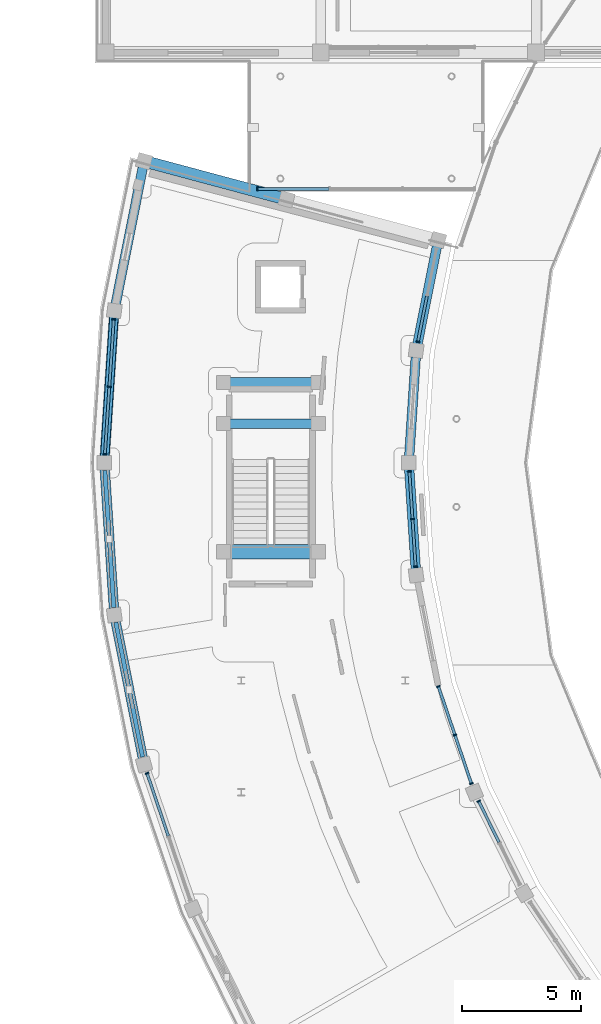
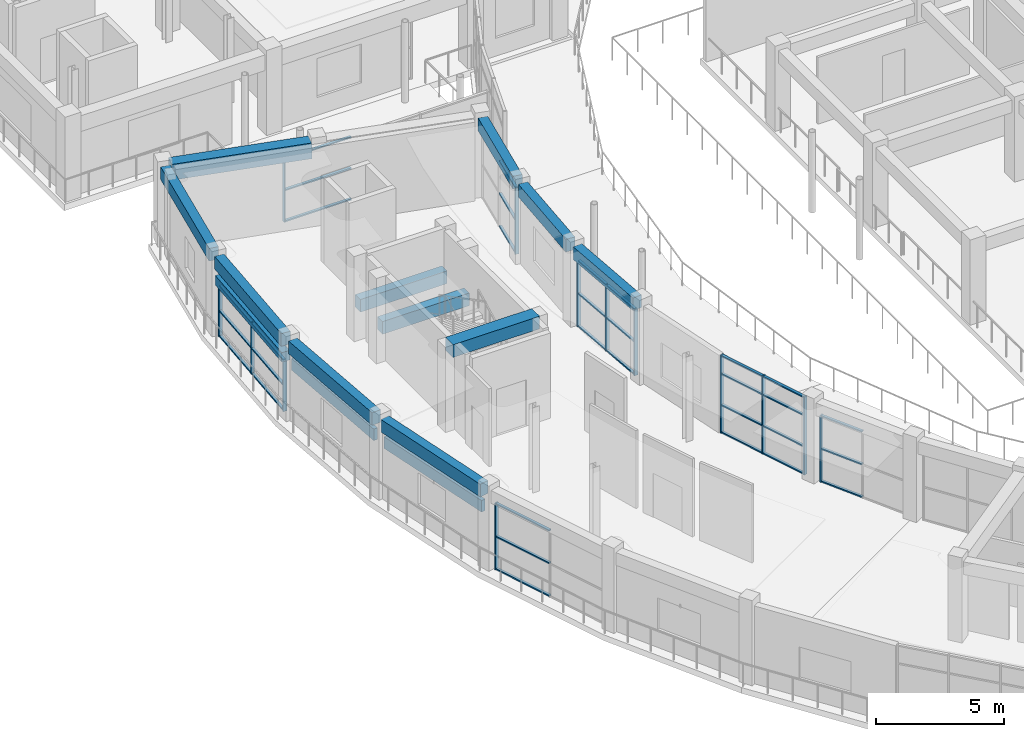
# One storey, part 23 of 83: 47 members, 12 beams, 7 elements without a shape of their own.
"""IFC4 building model written with IfcOpenShell, lengths in metres."""

from ifc_helpers import new_model, si_unit, direction, frame, origin, origin_2d, place, context, subcontext, project, spatial, rectangle, extrude, material, material_profile, profile_set, type_object, element, aggregate, save


model = new_model("IFC4")

# Units and contexts
model_context = context("Model", 3, precision=1e-05, world=origin(), true_north=direction((0.0, 1.0)))
body_context = subcontext(model_context, "Body", "Model", "MODEL_VIEW")
ifc_project = project(units=[si_unit("LENGTHUNIT", "METRE"), si_unit("AREAUNIT", "SQUARE_METRE"), si_unit("VOLUMEUNIT", "CUBIC_METRE"), si_unit("PLANEANGLEUNIT", "RADIAN"), si_unit("MASSUNIT", "GRAM", prefix="KILO")], contexts=[model_context])

# Site, building, storey
site_placement = place(None, origin())
site = spatial("IfcSite", under=ifc_project, at=site_placement, CompositionType="ELEMENT")
building_placement = place(site_placement, origin())
building = spatial("IfcBuilding", under=site, at=building_placement, Name="Saryqyr Civic Hall", CompositionType="ELEMENT")
storey_placement = place(building_placement, frame((0.0, 0.0, 9.14990234375)))
storey = spatial("IfcBuildingStorey", under=building, at=storey_placement, Name="L02", CompositionType="ELEMENT", Elevation=9.14990234375)

# Curtain wall, member
ifc_material_1 = material(Name="Anodised aluminium and triple low-E glass", Category="aluminium")
curtain_wall_type_1 = type_object("IfcCurtainWallType", Name="ENV-CW-STD-21", PredefinedType="NOTDEFINED", material=ifc_material_1)
curtain_wall_1_placement = place(storey_placement, origin())
curtain_wall_1 = element("IfcCurtainWall", 1, at=curtain_wall_1_placement, inside=storey, type_object=curtain_wall_type_1, Name="Curtain wall V4-CWI-L02-00", PredefinedType="NOTDEFINED")
ifc_material_2 = material(Name="Anodised aluminium", Category="aluminium")
ifc_material_profile_1 = material_profile(ifc_material_2, rectangle(XDim=0.06005859375, YDim=0.159912109375, at=origin_2d()), Name="ALU MULLION 60x160")
ifc_profile_set_1 = profile_set([ifc_material_profile_1], Name="Anodised aluminium")
member_type_1 = type_object("IfcMemberType", Name="ENV-CW-MUL-180", PredefinedType="MULLION", material=ifc_profile_set_1)
member_1_placement = place(storey_placement, frame((21.18310546875, 89.094482421875, 0.0), z_axis=(0.0, 0.0, 1.0), x_axis=(-0.195107360697, -0.980781891045, 0.0)))
member_1 = element("IfcMember", 2, at=member_1_placement, type_object=member_type_1, Name="CW-21 mullion 3", PredefinedType="MULLION", context=body_context, shape_type="SweptSolid", body=[
    extrude(rectangle(XDim=0.06005859375, YDim=0.159912109375, at=origin_2d()), origin(), (0.0, 0.0, 1.0), 3.1650390625),
])

# Curtain wall, members
curtain_wall_type_2 = type_object("IfcCurtainWallType", Name="ENV-CW-STD-22", PredefinedType="NOTDEFINED", material=ifc_material_1)
curtain_wall_2_placement = place(storey_placement, origin())
curtain_wall_2 = element("IfcCurtainWall", 3, at=curtain_wall_2_placement, inside=storey, type_object=curtain_wall_type_2, Name="Curtain wall V4-CWO-L02-01", PredefinedType="NOTDEFINED")
member_2_placement = place(storey_placement, frame((8.024169921875, 84.369873046875, 0.0), z_axis=(0.0, 0.0, 1.0), x_axis=(0.06539733631, 0.99785930291, 0.0)))
member_2 = element("IfcMember", 4, at=member_2_placement, type_object=member_type_1, Name="CW-22 mullion 1", PredefinedType="MULLION", context=body_context, shape_type="SweptSolid", body=[
    extrude(rectangle(XDim=0.06005859375, YDim=0.159912109375, at=origin_2d()), origin(), (0.0, 0.0, 1.0), 2.4501953125),
])
member_3_placement = place(storey_placement, frame((8.209716796875, 87.197998046875, 0.0), z_axis=(0.0, 0.0, 1.0), x_axis=(0.06539733631, 0.99785930291, 0.0)))
member_3 = element("IfcMember", 5, at=member_3_placement, type_object=member_type_1, Name="CW-22 mullion 2", PredefinedType="MULLION", context=body_context, shape_type="SweptSolid", body=[
    extrude(rectangle(XDim=0.06005859375, YDim=0.159912109375, at=origin_2d()), origin(), (0.0, 0.0, 1.0), 2.4501953125),
])
member_4_placement = place(storey_placement, frame((8.39501953125, 90.02587890625, 0.0), z_axis=(0.0, 0.0, 1.0), x_axis=(0.06539733631, 0.99785930291, 0.0)))
member_4 = element("IfcMember", 6, at=member_4_placement, type_object=member_type_1, Name="CW-22 mullion 3", PredefinedType="MULLION", context=body_context, shape_type="SweptSolid", body=[
    extrude(rectangle(XDim=0.06005859375, YDim=0.159912109375, at=origin_2d()), origin(), (0.0, 0.0, 1.0), 2.4501953125),
])

curtain_wall_3_placement = place(storey_placement, origin())
curtain_wall_3 = element("IfcCurtainWall", 7, at=curtain_wall_3_placement, inside=storey, type_object=curtain_wall_type_1, Name="Curtain wall V4-CWI-L02-02", PredefinedType="NOTDEFINED")
member_5_placement = place(storey_placement, frame((20.82421875, 83.630126953125, 0.0), z_axis=(0.0, 0.0, 1.0), x_axis=(0.065397404214, -0.997859298459, 0.0)))
member_5 = element("IfcMember", 8, at=member_5_placement, type_object=member_type_1, Name="CW-21 mullion 1", PredefinedType="MULLION", context=body_context, shape_type="SweptSolid", body=[
    extrude(rectangle(XDim=0.06005859375, YDim=0.159912109375, at=origin_2d()), origin(), (0.0, 0.0, 1.0), 3.1650390625),
])
member_6_placement = place(storey_placement, frame((20.954833984375, 81.637451171875, 0.0), z_axis=(0.0, 0.0, 1.0), x_axis=(0.065397404214, -0.997859298459, 0.0)))
member_6 = element("IfcMember", 9, at=member_6_placement, type_object=member_type_1, Name="CW-21 mullion 2", PredefinedType="MULLION", context=body_context, shape_type="SweptSolid", body=[
    extrude(rectangle(XDim=0.06005859375, YDim=0.159912109375, at=origin_2d()), origin(), (0.0, 0.0, 1.0), 3.1650390625),
])
member_7_placement = place(storey_placement, frame((21.08544921875, 79.64501953125, 0.0), z_axis=(0.0, 0.0, 1.0), x_axis=(0.065397404214, -0.997859298459, 0.0)))
member_7 = element("IfcMember", 10, at=member_7_placement, type_object=member_type_1, Name="CW-21 mullion 3", PredefinedType="MULLION", context=body_context, shape_type="SweptSolid", body=[
    extrude(rectangle(XDim=0.06005859375, YDim=0.159912109375, at=origin_2d()), origin(), (0.0, 0.0, 1.0), 3.1650390625),
])

# Curtain wall, member
curtain_wall_type_3 = type_object("IfcCurtainWallType", Name="ENV-CW-STD-23", PredefinedType="NOTDEFINED", material=ifc_material_1)
curtain_wall_4_placement = place(storey_placement, origin())
curtain_wall_4 = element("IfcCurtainWall", 11, at=curtain_wall_4_placement, inside=storey, type_object=curtain_wall_type_3, Name="Curtain wall V4-CWO-L02-04", PredefinedType="NOTDEFINED")
member_8_placement = place(storey_placement, frame((9.794677734375, 70.949462890625, 0.0), z_axis=(0.0, 0.0, 1.0), x_axis=(-0.321446589179, 0.946927711235, 0.0)))
member_8 = element("IfcMember", 12, at=member_8_placement, type_object=member_type_1, Name="CW-23 mullion 3", PredefinedType="MULLION", context=body_context, shape_type="SweptSolid", body=[
    extrude(rectangle(XDim=0.06005859375, YDim=0.159912109375, at=origin_2d()), origin(), (0.0, 0.0, 1.0), 3.1650390625),
])

# Curtain wall, members
curtain_wall_type_4 = type_object("IfcCurtainWallType", Name="ENV-CW-STD-24", PredefinedType="NOTDEFINED", material=ifc_material_1)
curtain_wall_5_placement = place(storey_placement, origin())
curtain_wall_5 = element("IfcCurtainWall", 13, at=curtain_wall_5_placement, inside=storey, type_object=curtain_wall_type_4, Name="Curtain wall V4-CWI-L02-04", PredefinedType="NOTDEFINED")
member_9_placement = place(storey_placement, frame((22.043212890625, 74.602294921875, 0.0), z_axis=(0.0, 0.0, 1.0), x_axis=(0.321446738583, -0.946927660518, 0.0)))
member_9 = element("IfcMember", 14, at=member_9_placement, type_object=member_type_1, Name="CW-24 mullion 1", PredefinedType="MULLION", context=body_context, shape_type="SweptSolid", body=[
    extrude(rectangle(XDim=0.06005859375, YDim=0.159912109375, at=origin_2d()), origin(), (0.0, 0.0, 1.0), 3.7001953125),
])
member_10_placement = place(storey_placement, frame((22.73681640625, 72.558837890625, 0.0), z_axis=(0.0, 0.0, 1.0), x_axis=(0.321446738583, -0.946927660518, 0.0)))
member_10 = element("IfcMember", 15, at=member_10_placement, type_object=member_type_1, Name="CW-24 mullion 2", PredefinedType="MULLION", context=body_context, shape_type="SweptSolid", body=[
    extrude(rectangle(XDim=0.06005859375, YDim=0.159912109375, at=origin_2d()), origin(), (0.0, 0.0, 1.0), 3.7001953125),
])
member_11_placement = place(storey_placement, frame((23.4306640625, 70.515380859375, 0.0), z_axis=(0.0, 0.0, 1.0), x_axis=(0.321446738583, -0.946927660518, 0.0)))
member_11 = element("IfcMember", 16, at=member_11_placement, type_object=member_type_1, Name="CW-24 mullion 3", PredefinedType="MULLION", context=body_context, shape_type="SweptSolid", body=[
    extrude(rectangle(XDim=0.06005859375, YDim=0.159912109375, at=origin_2d()), origin(), (0.0, 0.0, 1.0), 3.7001953125),
])

# Curtain wall, member
curtain_wall_6_placement = place(storey_placement, origin())
curtain_wall_6 = element("IfcCurtainWall", 17, at=curtain_wall_6_placement, inside=storey, type_object=curtain_wall_type_1, Name="Curtain wall V4-CWI-L02-05", PredefinedType="NOTDEFINED")
member_12_placement = place(storey_placement, frame((23.736572265625, 69.780029296875, 0.0), z_axis=(0.0, 0.0, 1.0), x_axis=(0.44226837931, -0.896882757479, 0.0)))
member_12 = element("IfcMember", 18, at=member_12_placement, type_object=member_type_1, Name="CW-21 mullion 1", PredefinedType="MULLION", context=body_context, shape_type="SweptSolid", body=[
    extrude(rectangle(XDim=0.06005859375, YDim=0.159912109375, at=origin_2d()), origin(), (0.0, 0.0, 1.0), 3.1650390625),
])

curtain_wall_type_5 = type_object("IfcCurtainWallType", Name="ENV-CW-STD-84", PredefinedType="NOTDEFINED", material=ifc_material_1)
curtain_wall_7_placement = place(storey_placement, origin())
curtain_wall_7 = element("IfcCurtainWall", 19, at=curtain_wall_7_placement, inside=storey, type_object=curtain_wall_type_5, Name="Curtain wall BR-NW-CW1-L02", PredefinedType="NOTDEFINED")
member_13_placement = place(storey_placement, frame((14.429931640625, 95.52001953125, 0.0), z_axis=(0.0, 0.0, 1.0), x_axis=(-1.0, 0.0, 0.0)))
member_13 = element("IfcMember", 20, at=member_13_placement, type_object=member_type_1, Name="CW-84 mullion 4", PredefinedType="MULLION", context=body_context, shape_type="SweptSolid", body=[
    extrude(rectangle(XDim=0.06005859375, YDim=0.159912109375, at=origin_2d()), origin(), (0.0, 0.0, 1.0), 3.01513671875),
])

# Member
ifc_material_profile_2 = material_profile(ifc_material_2, rectangle(XDim=0.1201171875, YDim=0.06005859375, at=origin_2d()), Name="ALU TRANSOM 120x60")
ifc_profile_set_2 = profile_set([ifc_material_profile_2], Name="Anodised aluminium")
member_type_2 = type_object("IfcMemberType", Name="ENV-CW-TRN-150", PredefinedType="USERDEFINED", material=ifc_profile_set_2)
member_14_placement = place(storey_placement, frame((21.565673828125, 91.017578125, 0.030029296875), z_axis=(-0.195094793757, -0.980784390908, 0.0), x_axis=(0.980784390908, -0.195094793757, 0.0)))
member_14 = element("IfcMember", 21, at=member_14_placement, type_object=member_type_2, Name="CW-21 transom 2.1", ObjectType="TRANSOM", PredefinedType="USERDEFINED", context=body_context, shape_type="SweptSolid", body=[
    extrude(rectangle(XDim=0.1201171875, YDim=0.06005859375, at=origin_2d()), origin(), (0.0, 0.0, 1.0), 1.930908203125),
])

member_15_placement = place(storey_placement, frame((21.565673828125, 91.017578125, 1.58203125), z_axis=(-0.195094793757, -0.980784390908, 0.0), x_axis=(0.980784390908, -0.195094793757, 0.0)))
member_15 = element("IfcMember", 22, at=member_15_placement, type_object=member_type_2, Name="CW-21 transom 2.2", ObjectType="TRANSOM", PredefinedType="USERDEFINED", context=body_context, shape_type="SweptSolid", body=[
    extrude(rectangle(XDim=0.1201171875, YDim=0.06005859375, at=origin_2d()), origin(), (0.0, 0.0, 1.0), 1.930908203125),
])

member_16_placement = place(storey_placement, frame((21.565673828125, 91.017578125, 3.135009765625), z_axis=(-0.195094793757, -0.980784390908, 0.0), x_axis=(0.980784390908, -0.195094793757, 0.0)))
member_16 = element("IfcMember", 23, at=member_16_placement, type_object=member_type_2, Name="CW-21 transom 2.3", ObjectType="TRANSOM", PredefinedType="USERDEFINED", context=body_context, shape_type="SweptSolid", body=[
    extrude(rectangle(XDim=0.1201171875, YDim=0.06005859375, at=origin_2d()), origin(), (0.0, 0.0, 1.0), 1.930908203125),
])

aggregate(curtain_wall_1, [member_1, member_14, member_15, member_16])

member_17_placement = place(storey_placement, frame((8.026123046875, 84.39990234375, 0.030029296875), z_axis=(0.06539158073, 0.9978596801, 0.0), x_axis=(-0.9978596801, 0.06539158073, 0.0)))
member_17 = element("IfcMember", 24, at=member_17_placement, type_object=member_type_2, Name="CW-22 transom 1.1", ObjectType="TRANSOM", PredefinedType="USERDEFINED", context=body_context, shape_type="SweptSolid", body=[
    extrude(rectangle(XDim=0.1201171875, YDim=0.06005859375, at=origin_2d()), origin(), (0.0, 0.0, 1.0), 2.77392578125),
])

member_18_placement = place(storey_placement, frame((8.026123046875, 84.39990234375, 1.22509765625), z_axis=(0.06539158073, 0.9978596801, 0.0), x_axis=(-0.9978596801, 0.06539158073, 0.0)))
member_18 = element("IfcMember", 25, at=member_18_placement, type_object=member_type_2, Name="CW-22 transom 1.2", ObjectType="TRANSOM", PredefinedType="USERDEFINED", context=body_context, shape_type="SweptSolid", body=[
    extrude(rectangle(XDim=0.1201171875, YDim=0.06005859375, at=origin_2d()), origin(), (0.0, 0.0, 1.0), 2.77392578125),
])

member_19_placement = place(storey_placement, frame((8.026123046875, 84.39990234375, 2.420166015625), z_axis=(0.06539158073, 0.9978596801, 0.0), x_axis=(-0.9978596801, 0.06539158073, 0.0)))
member_19 = element("IfcMember", 26, at=member_19_placement, type_object=member_type_2, Name="CW-22 transom 1.3", ObjectType="TRANSOM", PredefinedType="USERDEFINED", context=body_context, shape_type="SweptSolid", body=[
    extrude(rectangle(XDim=0.1201171875, YDim=0.06005859375, at=origin_2d()), origin(), (0.0, 0.0, 1.0), 2.77392578125),
])

member_20_placement = place(storey_placement, frame((8.211669921875, 87.227783203125, 0.030029296875), z_axis=(0.06539158073, 0.9978596801, 0.0), x_axis=(-0.9978596801, 0.06539158073, 0.0)))
member_20 = element("IfcMember", 27, at=member_20_placement, type_object=member_type_2, Name="CW-22 transom 2.1", ObjectType="TRANSOM", PredefinedType="USERDEFINED", context=body_context, shape_type="SweptSolid", body=[
    extrude(rectangle(XDim=0.1201171875, YDim=0.06005859375, at=origin_2d()), origin(), (0.0, 0.0, 1.0), 2.77392578125),
])

member_21_placement = place(storey_placement, frame((8.211669921875, 87.227783203125, 1.22509765625), z_axis=(0.06539158073, 0.9978596801, 0.0), x_axis=(-0.9978596801, 0.06539158073, 0.0)))
member_21 = element("IfcMember", 28, at=member_21_placement, type_object=member_type_2, Name="CW-22 transom 2.2", ObjectType="TRANSOM", PredefinedType="USERDEFINED", context=body_context, shape_type="SweptSolid", body=[
    extrude(rectangle(XDim=0.1201171875, YDim=0.06005859375, at=origin_2d()), origin(), (0.0, 0.0, 1.0), 2.77392578125),
])

member_22_placement = place(storey_placement, frame((8.211669921875, 87.227783203125, 2.420166015625), z_axis=(0.06539158073, 0.9978596801, 0.0), x_axis=(-0.9978596801, 0.06539158073, 0.0)))
member_22 = element("IfcMember", 29, at=member_22_placement, type_object=member_type_2, Name="CW-22 transom 2.3", ObjectType="TRANSOM", PredefinedType="USERDEFINED", context=body_context, shape_type="SweptSolid", body=[
    extrude(rectangle(XDim=0.1201171875, YDim=0.06005859375, at=origin_2d()), origin(), (0.0, 0.0, 1.0), 2.77392578125),
])

aggregate(curtain_wall_2, [member_2, member_3, member_4, member_17, member_18, member_19, member_20, member_21, member_22])

member_23_placement = place(storey_placement, frame((20.826171875, 83.60009765625, 0.030029296875), z_axis=(0.065422954354, -0.997857623634, 0.0), x_axis=(0.997857623634, 0.065422954354, 0.0)))
member_23 = element("IfcMember", 30, at=member_23_placement, type_object=member_type_2, Name="CW-21 transom 1.1", ObjectType="TRANSOM", PredefinedType="USERDEFINED", context=body_context, shape_type="SweptSolid", body=[
    extrude(rectangle(XDim=0.1201171875, YDim=0.06005859375, at=origin_2d()), origin(), (0.0, 0.0, 1.0), 1.936767578125),
])

member_24_placement = place(storey_placement, frame((20.826171875, 83.60009765625, 1.58203125), z_axis=(0.065422954354, -0.997857623634, 0.0), x_axis=(0.997857623634, 0.065422954354, 0.0)))
member_24 = element("IfcMember", 31, at=member_24_placement, type_object=member_type_2, Name="CW-21 transom 1.2", ObjectType="TRANSOM", PredefinedType="USERDEFINED", context=body_context, shape_type="SweptSolid", body=[
    extrude(rectangle(XDim=0.1201171875, YDim=0.06005859375, at=origin_2d()), origin(), (0.0, 0.0, 1.0), 1.936767578125),
])

member_25_placement = place(storey_placement, frame((20.826171875, 83.60009765625, 3.135009765625), z_axis=(0.065422954354, -0.997857623634, 0.0), x_axis=(0.997857623634, 0.065422954354, 0.0)))
member_25 = element("IfcMember", 32, at=member_25_placement, type_object=member_type_2, Name="CW-21 transom 1.3", ObjectType="TRANSOM", PredefinedType="USERDEFINED", context=body_context, shape_type="SweptSolid", body=[
    extrude(rectangle(XDim=0.1201171875, YDim=0.06005859375, at=origin_2d()), origin(), (0.0, 0.0, 1.0), 1.936767578125),
])

member_26_placement = place(storey_placement, frame((20.956787109375, 81.607666015625, 0.030029296875), z_axis=(0.065414726113, -0.997858163071, 0.0), x_axis=(0.997858163071, 0.065414726113, 0.0)))
member_26 = element("IfcMember", 33, at=member_26_placement, type_object=member_type_2, Name="CW-21 transom 2.1", ObjectType="TRANSOM", PredefinedType="USERDEFINED", context=body_context, shape_type="SweptSolid", body=[
    extrude(rectangle(XDim=0.1201171875, YDim=0.06005859375, at=origin_2d()), origin(), (0.0, 0.0, 1.0), 1.93701171875),
])

member_27_placement = place(storey_placement, frame((20.956787109375, 81.607666015625, 1.58203125), z_axis=(0.065414726113, -0.997858163071, 0.0), x_axis=(0.997858163071, 0.065414726113, 0.0)))
member_27 = element("IfcMember", 34, at=member_27_placement, type_object=member_type_2, Name="CW-21 transom 2.2", ObjectType="TRANSOM", PredefinedType="USERDEFINED", context=body_context, shape_type="SweptSolid", body=[
    extrude(rectangle(XDim=0.1201171875, YDim=0.06005859375, at=origin_2d()), origin(), (0.0, 0.0, 1.0), 1.93701171875),
])

member_28_placement = place(storey_placement, frame((20.956787109375, 81.607666015625, 3.135009765625), z_axis=(0.065414726113, -0.997858163071, 0.0), x_axis=(0.997858163071, 0.065414726113, 0.0)))
member_28 = element("IfcMember", 35, at=member_28_placement, type_object=member_type_2, Name="CW-21 transom 2.3", ObjectType="TRANSOM", PredefinedType="USERDEFINED", context=body_context, shape_type="SweptSolid", body=[
    extrude(rectangle(XDim=0.1201171875, YDim=0.06005859375, at=origin_2d()), origin(), (0.0, 0.0, 1.0), 1.93701171875),
])

aggregate(curtain_wall_3, [member_5, member_6, member_7, member_23, member_24, member_25, member_26, member_27, member_28])

member_29_placement = place(storey_placement, frame((10.690185546875, 68.3115234375, 0.030029296875), z_axis=(-0.321485014868, 0.946914666279, 0.0), x_axis=(-0.946914666279, -0.321485014868, 0.0)))
member_29 = element("IfcMember", 36, at=member_29_placement, type_object=member_type_2, Name="CW-23 transom 2.1", ObjectType="TRANSOM", PredefinedType="USERDEFINED", context=body_context, shape_type="SweptSolid", body=[
    extrude(rectangle(XDim=0.1201171875, YDim=0.06005859375, at=origin_2d()), origin(), (0.0, 0.0, 1.0), 2.755859375),
])

member_30_placement = place(storey_placement, frame((10.690185546875, 68.3115234375, 1.58203125), z_axis=(-0.321485014868, 0.946914666279, 0.0), x_axis=(-0.946914666279, -0.321485014868, 0.0)))
member_30 = element("IfcMember", 37, at=member_30_placement, type_object=member_type_2, Name="CW-23 transom 2.2", ObjectType="TRANSOM", PredefinedType="USERDEFINED", context=body_context, shape_type="SweptSolid", body=[
    extrude(rectangle(XDim=0.1201171875, YDim=0.06005859375, at=origin_2d()), origin(), (0.0, 0.0, 1.0), 2.755859375),
])

member_31_placement = place(storey_placement, frame((10.690185546875, 68.3115234375, 3.135009765625), z_axis=(-0.321485014868, 0.946914666279, 0.0), x_axis=(-0.946914666279, -0.321485014868, 0.0)))
member_31 = element("IfcMember", 38, at=member_31_placement, type_object=member_type_2, Name="CW-23 transom 2.3", ObjectType="TRANSOM", PredefinedType="USERDEFINED", context=body_context, shape_type="SweptSolid", body=[
    extrude(rectangle(XDim=0.1201171875, YDim=0.06005859375, at=origin_2d()), origin(), (0.0, 0.0, 1.0), 2.755859375),
])

aggregate(curtain_wall_4, [member_8, member_29, member_30, member_31])

member_32_placement = place(storey_placement, frame((22.052734375, 74.573974609375, 0.030029296875), z_axis=(0.321493848195, -0.946911667249, 0.0), x_axis=(0.946911667249, 0.321493848195, 0.0)))
member_32 = element("IfcMember", 39, at=member_32_placement, type_object=member_type_2, Name="CW-24 transom 1.1", ObjectType="TRANSOM", PredefinedType="USERDEFINED", context=body_context, shape_type="SweptSolid", body=[
    extrude(rectangle(XDim=0.1201171875, YDim=0.06005859375, at=origin_2d()), origin(), (0.0, 0.0, 1.0), 2.09814453125),
])

member_33_placement = place(storey_placement, frame((22.052734375, 74.573974609375, 1.33203125), z_axis=(0.321493848195, -0.946911667249, 0.0), x_axis=(0.946911667249, 0.321493848195, 0.0)))
member_33 = element("IfcMember", 40, at=member_33_placement, type_object=member_type_2, Name="CW-24 transom 1.2", ObjectType="TRANSOM", PredefinedType="USERDEFINED", context=body_context, shape_type="SweptSolid", body=[
    extrude(rectangle(XDim=0.1201171875, YDim=0.06005859375, at=origin_2d()), origin(), (0.0, 0.0, 1.0), 2.09814453125),
])

member_34_placement = place(storey_placement, frame((22.052734375, 74.573974609375, 2.81201171875), z_axis=(0.321493848195, -0.946911667249, 0.0), x_axis=(0.946911667249, 0.321493848195, 0.0)))
member_34 = element("IfcMember", 41, at=member_34_placement, type_object=member_type_2, Name="CW-24 transom 1.3", ObjectType="TRANSOM", PredefinedType="USERDEFINED", context=body_context, shape_type="SweptSolid", body=[
    extrude(rectangle(XDim=0.1201171875, YDim=0.06005859375, at=origin_2d()), origin(), (0.0, 0.0, 1.0), 2.09814453125),
])

member_35_placement = place(storey_placement, frame((22.052734375, 74.573974609375, 3.670166015625), z_axis=(0.321493848195, -0.946911667249, 0.0), x_axis=(0.946911667249, 0.321493848195, 0.0)))
member_35 = element("IfcMember", 42, at=member_35_placement, type_object=member_type_2, Name="CW-24 transom 1.4", ObjectType="TRANSOM", PredefinedType="USERDEFINED", context=body_context, shape_type="SweptSolid", body=[
    extrude(rectangle(XDim=0.1201171875, YDim=0.06005859375, at=origin_2d()), origin(), (0.0, 0.0, 1.0), 2.09814453125),
])

member_36_placement = place(storey_placement, frame((22.74658203125, 72.530517578125, 0.030029296875), z_axis=(0.321389511978, -0.946947084895, 0.0), x_axis=(0.946947084895, 0.321389511978, 0.0)))
member_36 = element("IfcMember", 43, at=member_36_placement, type_object=member_type_2, Name="CW-24 transom 2.1", ObjectType="TRANSOM", PredefinedType="USERDEFINED", context=body_context, shape_type="SweptSolid", body=[
    extrude(rectangle(XDim=0.1201171875, YDim=0.06005859375, at=origin_2d()), origin(), (0.0, 0.0, 1.0), 2.09814453125),
])

member_37_placement = place(storey_placement, frame((22.74658203125, 72.530517578125, 1.33203125), z_axis=(0.321389511978, -0.946947084895, 0.0), x_axis=(0.946947084895, 0.321389511978, 0.0)))
member_37 = element("IfcMember", 44, at=member_37_placement, type_object=member_type_2, Name="CW-24 transom 2.2", ObjectType="TRANSOM", PredefinedType="USERDEFINED", context=body_context, shape_type="SweptSolid", body=[
    extrude(rectangle(XDim=0.1201171875, YDim=0.06005859375, at=origin_2d()), origin(), (0.0, 0.0, 1.0), 2.09814453125),
])

member_38_placement = place(storey_placement, frame((22.74658203125, 72.530517578125, 2.81201171875), z_axis=(0.321389511978, -0.946947084895, 0.0), x_axis=(0.946947084895, 0.321389511978, 0.0)))
member_38 = element("IfcMember", 45, at=member_38_placement, type_object=member_type_2, Name="CW-24 transom 2.3", ObjectType="TRANSOM", PredefinedType="USERDEFINED", context=body_context, shape_type="SweptSolid", body=[
    extrude(rectangle(XDim=0.1201171875, YDim=0.06005859375, at=origin_2d()), origin(), (0.0, 0.0, 1.0), 2.09814453125),
])

member_39_placement = place(storey_placement, frame((22.74658203125, 72.530517578125, 3.670166015625), z_axis=(0.321389511978, -0.946947084895, 0.0), x_axis=(0.946947084895, 0.321389511978, 0.0)))
member_39 = element("IfcMember", 46, at=member_39_placement, type_object=member_type_2, Name="CW-24 transom 2.4", ObjectType="TRANSOM", PredefinedType="USERDEFINED", context=body_context, shape_type="SweptSolid", body=[
    extrude(rectangle(XDim=0.1201171875, YDim=0.06005859375, at=origin_2d()), origin(), (0.0, 0.0, 1.0), 2.09814453125),
])

aggregate(curtain_wall_5, [member_9, member_10, member_11, member_32, member_33, member_34, member_35, member_36, member_37, member_38, member_39])

member_40_placement = place(storey_placement, frame((23.749755859375, 69.753173828125, 0.030029296875), z_axis=(0.442320820381, -0.896856895975, 0.0), x_axis=(0.896856895975, 0.442320820381, 0.0)))
member_40 = element("IfcMember", 47, at=member_40_placement, type_object=member_type_2, Name="CW-21 transom 1.1", ObjectType="TRANSOM", PredefinedType="USERDEFINED", context=body_context, shape_type="SweptSolid", body=[
    extrude(rectangle(XDim=0.1201171875, YDim=0.06005859375, at=origin_2d()), origin(), (0.0, 0.0, 1.0), 1.898681640625),
])

member_41_placement = place(storey_placement, frame((23.749755859375, 69.753173828125, 1.58203125), z_axis=(0.442320820381, -0.896856895975, 0.0), x_axis=(0.896856895975, 0.442320820381, 0.0)))
member_41 = element("IfcMember", 48, at=member_41_placement, type_object=member_type_2, Name="CW-21 transom 1.2", ObjectType="TRANSOM", PredefinedType="USERDEFINED", context=body_context, shape_type="SweptSolid", body=[
    extrude(rectangle(XDim=0.1201171875, YDim=0.06005859375, at=origin_2d()), origin(), (0.0, 0.0, 1.0), 1.898681640625),
])

member_42_placement = place(storey_placement, frame((23.749755859375, 69.753173828125, 3.135009765625), z_axis=(0.442320820381, -0.896856895975, 0.0), x_axis=(0.896856895975, 0.442320820381, 0.0)))
member_42 = element("IfcMember", 49, at=member_42_placement, type_object=member_type_2, Name="CW-21 transom 1.3", ObjectType="TRANSOM", PredefinedType="USERDEFINED", context=body_context, shape_type="SweptSolid", body=[
    extrude(rectangle(XDim=0.1201171875, YDim=0.06005859375, at=origin_2d()), origin(), (0.0, 0.0, 1.0), 1.898681640625),
])

aggregate(curtain_wall_6, [member_12, member_40, member_41, member_42])

member_43_placement = place(storey_placement, frame((17.436767578125, 95.52001953125, 0.030029296875), z_axis=(-1.0, 0.0, 0.0), x_axis=(0.0, -1.0, 0.0)))
member_43 = element("IfcMember", 50, at=member_43_placement, type_object=member_type_2, Name="CW-84 transom 3.1", ObjectType="TRANSOM", PredefinedType="USERDEFINED", context=body_context, shape_type="SweptSolid", body=[
    extrude(rectangle(XDim=0.1201171875, YDim=0.06005859375, at=origin_2d()), origin(), (0.0, 0.0, 1.0), 2.976806640625),
])

member_44_placement = place(storey_placement, frame((17.436767578125, 95.52001953125, 1.508056640625), z_axis=(-1.0, 0.0, 0.0), x_axis=(0.0, -1.0, 0.0)))
member_44 = element("IfcMember", 51, at=member_44_placement, type_object=member_type_2, Name="CW-84 transom 3.2", ObjectType="TRANSOM", PredefinedType="USERDEFINED", context=body_context, shape_type="SweptSolid", body=[
    extrude(rectangle(XDim=0.1201171875, YDim=0.06005859375, at=origin_2d()), origin(), (0.0, 0.0, 1.0), 2.976806640625),
])

member_45_placement = place(storey_placement, frame((17.436767578125, 95.52001953125, 2.985107421875), z_axis=(-1.0, 0.0, 0.0), x_axis=(0.0, -1.0, 0.0)))
member_45 = element("IfcMember", 52, at=member_45_placement, type_object=member_type_2, Name="CW-84 transom 3.3", ObjectType="TRANSOM", PredefinedType="USERDEFINED", context=body_context, shape_type="SweptSolid", body=[
    extrude(rectangle(XDim=0.1201171875, YDim=0.06005859375, at=origin_2d()), origin(), (0.0, 0.0, 1.0), 2.976806640625),
])

aggregate(curtain_wall_7, [member_13, member_43, member_44, member_45])

# Members
ifc_material_3 = material(Name="Precast concrete C40/50", Category="concrete")
ifc_material_profile_3 = material_profile(ifc_material_3, rectangle(XDim=0.179931640625, YDim=0.550048828125, at=origin_2d()), Name="PC FIN 180x550")
ifc_profile_set_3 = profile_set([ifc_material_profile_3], Name="Precast concrete C40/50")
member_type_3 = type_object("IfcMemberType", Name="ENV-FIN-PC550", PredefinedType="USERDEFINED", material=ifc_profile_set_3)
member_46_placement = place(storey_placement, frame((8.020751953125, 83.6826171875, 2.670166015625), z_axis=(0.065415986543, -0.997858080443, 0.0), x_axis=(0.997858080443, 0.065415986543, 0.0)))
element("IfcMember", 53, at=member_46_placement, inside=storey, type_object=member_type_3, Name="Precast horizontal solar brise-soleil fin V4-L02-02", ObjectType="SOLAR_FIN", PredefinedType="USERDEFINED", context=body_context, shape_type="SweptSolid", body=[
    extrude(rectangle(XDim=0.179931640625, YDim=0.550048828125, at=origin_2d()), origin(), (0.0, 0.0, 1.0), 5.773681640625),
])
member_47_placement = place(storey_placement, frame((8.481201171875, 77.292236328125, 2.670166015625), z_axis=(0.195115764728, -0.98078021919, 0.0), x_axis=(0.98078021919, 0.195115764728, 0.0)))
element("IfcMember", 54, at=member_47_placement, inside=storey, type_object=member_type_3, Name="Precast horizontal solar brise-soleil fin V4-L02-03", ObjectType="SOLAR_FIN", PredefinedType="USERDEFINED", context=body_context, shape_type="SweptSolid", body=[
    extrude(rectangle(XDim=0.179931640625, YDim=0.550048828125, at=origin_2d()), origin(), (0.0, 0.0, 1.0), 5.773193359375),
])

# Beams
ifc_material_4 = material(Name="Concrete C35/45", Category="concrete")
ifc_material_profile_4 = material_profile(ifc_material_4, rectangle(XDim=0.39990234375, YDim=0.60009765625, at=origin_2d()), Name="RC 400x600")
ifc_profile_set_4 = profile_set([ifc_material_profile_4], Name="Concrete C35/45")
beam_type_1 = type_object("IfcBeamType", Name="STR-BM-RC400x600", PredefinedType="BEAM", material=ifc_profile_set_4)
for number, where, z_axis, x_axis, name in (
    (55, (16.949951171875, 85.64990234375, 1.525146484375), (-1.0, 0.0, 0.0), (0.0, -1.0, 0.0), "Stair half-landing support beam ST-4-LND1-L02"),
    (56, (16.949951171875, 87.3798828125, 1.525146484375), (-1.0, 0.0, 0.0), (0.0, -1.0, 0.0), "Stair half-landing support beam ST-4-LND2-L02"),
):
    element("IfcBeam", number, at=place(storey_placement, frame(where, z_axis=z_axis, x_axis=x_axis)), inside=storey, type_object=beam_type_1, Name=name, PredefinedType="BEAM", context=body_context, shape_type="SweptSolid", body=[
        extrude(rectangle(XDim=0.39990234375, YDim=0.60009765625, at=origin_2d()), origin(), (0.0, 0.0, 1.0), 3.89990234375),
    ])
ifc_material_profile_5 = material_profile(ifc_material_4, rectangle(XDim=0.39990234375, YDim=0.60009765625, at=origin_2d()), Name="RC 400x600")
ifc_profile_set_5 = profile_set([ifc_material_profile_5], Name="Concrete C35/45")
beam_type_2 = type_object("IfcBeamType", Name="STR-BM-RC400x600-EXT", PredefinedType="BEAM", material=ifc_profile_set_5)
beam_1_placement = place(storey_placement, frame((21.979736328125, 93.099609375, 3.489990234375), z_axis=(-0.195061562162, -0.980791000656, 0.0), x_axis=(0.980791000656, -0.195061562162, 0.0)))
element("IfcBeam", 57, at=beam_1_placement, inside=storey, type_object=beam_type_2, Name="Beam V4-CBM-IN00-L02", PredefinedType="BEAM", context=body_context, shape_type="SweptSolid", body=[
    extrude(rectangle(XDim=0.39990234375, YDim=0.60009765625, at=origin_2d()), origin(), (0.0, 0.0, 1.0), 4.185302734375),
])
beam_2_placement = place(storey_placement, frame((9.615966796875, 96.412353515625, 3.489990234375), z_axis=(-0.195082377398, -0.980786860653, 0.0), x_axis=(0.980786860653, -0.195082377398, 0.0)))
element("IfcBeam", 58, at=beam_2_placement, inside=storey, type_object=beam_type_2, Name="Beam V4-CBM-OUT00-L02", PredefinedType="BEAM", context=body_context, shape_type="SweptSolid", body=[
    extrude(rectangle(XDim=0.39990234375, YDim=0.60009765625, at=origin_2d()), origin(), (0.0, 0.0, 1.0), 5.859375),
])
beam_3_placement = place(storey_placement, frame((21.091796875, 88.45068359375, 3.489990234375), z_axis=(-0.065392297948, -0.997859633099, 0.0), x_axis=(0.997859633099, -0.065392297948, 0.0)))
element("IfcBeam", 59, at=beam_3_placement, inside=storey, type_object=beam_type_2, Name="Beam V4-CBM-IN01-L02", PredefinedType="BEAM", context=body_context, shape_type="SweptSolid", body=[
    extrude(rectangle(XDim=0.39990234375, YDim=0.60009765625, at=origin_2d()), origin(), (0.0, 0.0, 1.0), 4.185302734375),
])
beam_4_placement = place(storey_placement, frame((8.401123046875, 90.121337890625, 3.489990234375), z_axis=(-0.06537407149, -0.997860827359, 0.0), x_axis=(0.997860827359, -0.06537407149, 0.0)))
element("IfcBeam", 60, at=beam_4_placement, inside=storey, type_object=beam_type_2, Name="Beam V4-CBM-OUT01-L02", PredefinedType="BEAM", context=body_context, shape_type="SweptSolid", body=[
    extrude(rectangle(XDim=0.39990234375, YDim=0.60009765625, at=origin_2d()), origin(), (0.0, 0.0, 1.0), 5.859375),
])
beam_5_placement = place(storey_placement, frame((20.818115234375, 83.7255859375, 3.489990234375), z_axis=(0.065392297948, -0.997859633099, 0.0), x_axis=(0.997859633099, 0.065392297948, 0.0)))
element("IfcBeam", 61, at=beam_5_placement, inside=storey, type_object=beam_type_2, Name="Beam V4-CBM-IN02-L02", PredefinedType="BEAM", context=body_context, shape_type="SweptSolid", body=[
    extrude(rectangle(XDim=0.39990234375, YDim=0.60009765625, at=origin_2d()), origin(), (0.0, 0.0, 1.0), 4.185302734375),
])
for number, where, z_axis, x_axis, name in (
    (62, (8.01806640625, 83.7255859375, 3.489990234375), (0.06537407149, -0.997860827359, 0.0), (0.997860827359, 0.06537407149, 0.0), "Beam V4-CBM-OUT02-L02"),
    (63, (8.472900390625, 77.33447265625, 3.489990234375), (0.195082377398, -0.980786860653, 0.0), (0.980786860653, 0.195082377398, 0.0), "Beam V4-CBM-OUT03-L02"),
):
    element("IfcBeam", number, at=place(storey_placement, frame(where, z_axis=z_axis, x_axis=x_axis)), inside=storey, type_object=beam_type_2, Name=name, PredefinedType="BEAM", context=body_context, shape_type="SweptSolid", body=[
        extrude(rectangle(XDim=0.39990234375, YDim=0.60009765625, at=origin_2d()), origin(), (0.0, 0.0, 1.0), 5.859375),
    ])
ifc_material_5 = material(Name="Concrete C40/50", Category="concrete")
ifc_material_profile_6 = material_profile(ifc_material_5, rectangle(XDim=0.5, YDim=0.75, at=origin_2d()), Name="RC 500x750")
ifc_profile_set_6 = profile_set([ifc_material_profile_6], Name="Concrete C40/50")
beam_type_3 = type_object("IfcBeamType", Name="STR-BM-RC500x750", PredefinedType="BEAM", material=ifc_profile_set_6)
beam_6_placement = place(storey_placement, frame((15.392822265625, 95.148681640625, 3.4150390625), z_axis=(-0.965933779291, 0.25878936227, 0.0), x_axis=(-0.25878936227, -0.965933779291, 0.0)))
element("IfcBeam", 64, at=beam_6_placement, inside=storey, type_object=beam_type_3, Name="Beam V4-RBM-B00-L02", PredefinedType="BEAM", context=body_context, shape_type="SweptSolid", body=[
    extrude(rectangle(XDim=0.5, YDim=0.75, at=origin_2d()), origin(), (0.0, 0.0, 1.0), 5.64990234375),
])
ifc_material_profile_7 = material_profile(ifc_material_5, rectangle(XDim=0.60009765625, YDim=0.60009765625, at=origin_2d()), Name="RC 600x600")
ifc_profile_set_7 = profile_set([ifc_material_profile_7], Name="Concrete C40/50")
beam_type_4 = type_object("IfcBeamType", Name="STR-BM-RC600x600", PredefinedType="BEAM", material=ifc_profile_set_7)
beam_7_placement = place(storey_placement, frame((16.949951171875, 80.264892578125, 3.75), z_axis=(-1.0, 0.0, 0.0), x_axis=(0.0, -1.0, 0.0)))
element("IfcBeam", 65, at=beam_7_placement, inside=storey, type_object=beam_type_4, Name="Stair well trimmer beam ST-4-L03", PredefinedType="BEAM", context=body_context, shape_type="SweptSolid", body=[
    extrude(rectangle(XDim=0.60009765625, YDim=0.60009765625, at=origin_2d()), origin(), (0.0, 0.0, 1.0), 3.89990234375),
])
ifc_material_profile_8 = material_profile(ifc_material_3, rectangle(XDim=0.35009765625, YDim=0.449951171875, at=origin_2d()), Name="RC 350x450")
ifc_profile_set_8 = profile_set([ifc_material_profile_8], Name="Precast concrete C40/50")
beam_type_5 = type_object("IfcBeamType", Name="STR-LIN-RC350x450", PredefinedType="LINTEL", material=ifc_profile_set_8)
beam_8_placement = place(storey_placement, frame((8.401123046875, 90.121337890625, 2.655029296875), z_axis=(-0.06537407149, -0.997860827359, 0.0), x_axis=(0.997860827359, -0.06537407149, 0.0)))
element("IfcBeam", 66, at=beam_8_placement, inside=storey, type_object=beam_type_5, Name="Beam V4-LIN-01-L02", PredefinedType="LINTEL", context=body_context, shape_type="SweptSolid", body=[
    extrude(rectangle(XDim=0.35009765625, YDim=0.449951171875, at=origin_2d()), origin(), (0.0, 0.0, 1.0), 5.859375),
])

save(model, "model.ifc")
